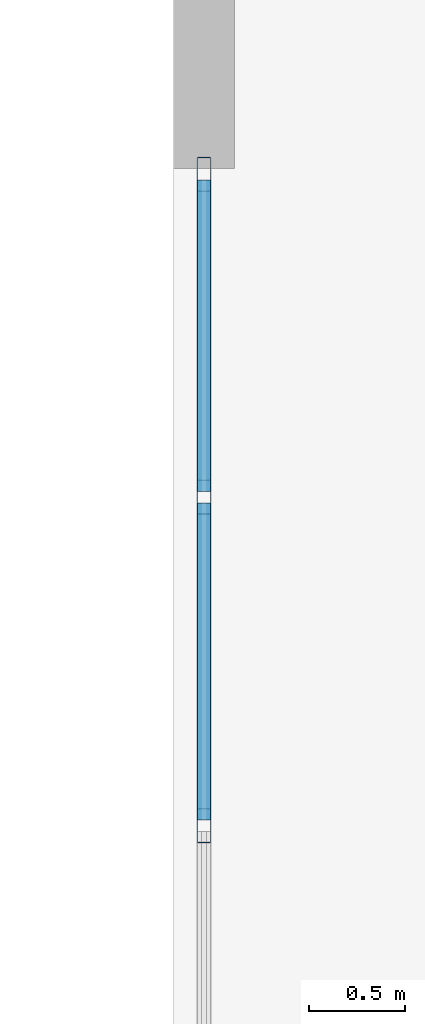
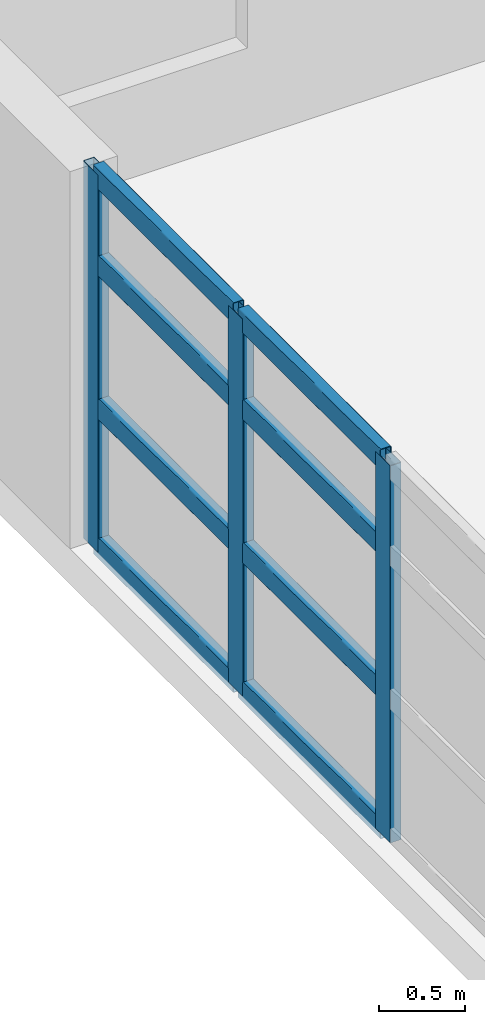
# One storey, part 6 of 24: 11 members, 1 element without a shape of its own.
"""IFC4 building model written with IfcOpenShell, lengths in metres."""

from ifc_helpers import new_model, si_unit, direction, frame, origin, origin_2d, place, context, subcontext, project, spatial, hollow_rectangle, extrude, material, layer, layer_set, material_profile, profile_set, type_object, element, aggregate, save


model = new_model("IFC4")

# Units and contexts
model_context = context("Model", 3, precision=1e-05, world=origin(), true_north=direction((0.0, 1.0)))
body_context = subcontext(model_context, "Body", "Model", "MODEL_VIEW")
ifc_project = project(units=[si_unit("LENGTHUNIT", "METRE"), si_unit("AREAUNIT", "SQUARE_METRE"), si_unit("VOLUMEUNIT", "CUBIC_METRE"), si_unit("PLANEANGLEUNIT", "RADIAN"), si_unit("MASSUNIT", "GRAM", prefix="KILO")], contexts=[model_context])

# Site, building, storey
site_placement = place(None, origin())
site = spatial("IfcSite", under=ifc_project, at=site_placement, CompositionType="ELEMENT")
building_placement = place(site_placement, origin())
building = spatial("IfcBuilding", under=site, at=building_placement, Name="Qingluan Cross Belvedere", CompositionType="ELEMENT")
storey_placement = place(building_placement, origin())
storey = spatial("IfcBuildingStorey", under=building, at=storey_placement, Name="L01", CompositionType="ELEMENT", Elevation=0.0)

# Curtain wall, members
ifc_material_1 = material(Name="Thermally broken aluminium and Low-E glass", Category="aluminium")
ifc_layer = layer(ifc_material_1, 0.199951171875, Name="UnitisedCW_PodiumArrival")
ifc_layer_set = layer_set([ifc_layer], Name="Thermally broken aluminium and Low-E glass")
curtain_wall_type = type_object("IfcCurtainWallType", Name="UnitisedCW_PodiumArrival", PredefinedType="USERDEFINED", material=ifc_layer_set)
curtain_wall_placement = place(storey_placement, origin())
curtain_wall = element("IfcCurtainWall", 1, at=curtain_wall_placement, inside=storey, type_object=curtain_wall_type, Name="UnitisedCW_PodiumArrival run env:cw:L01:W", ObjectType="UNITISED CURTAIN WALL", PredefinedType="USERDEFINED")
ifc_material_2 = material(Name="Aluminium alloy 6063-T6", Category="aluminium")
ifc_material_profile_1 = material_profile(ifc_material_2, hollow_rectangle(XDim=0.074951171875, YDim=0.179931640625, WallThickness=0.00390625, InnerFilletRadius=0.00390625, OuterFilletRadius=0.008056640625, at=origin_2d()), Name="CWM180x75x4")
ifc_profile_set_1 = profile_set([ifc_material_profile_1], Name="Aluminium alloy 6063-T6")
member_type_1 = type_object("IfcMemberType", Name="CWMullion_180", PredefinedType="MULLION", material=ifc_profile_set_1)
member_1_placement = place(storey_placement, frame((-39.0400390625, 2.571533203125, 0.0), z_axis=(0.0, 0.0, 1.0), x_axis=(-1.0, 0.0, 0.0)))
member_1 = element("IfcMember", 2, at=member_1_placement, type_object=member_type_1, Name="CW-P1 mullion 6", PredefinedType="MULLION", context=body_context, shape_type="SweptSolid", body=[
    extrude(hollow_rectangle(XDim=0.074951171875, YDim=0.179931640625, WallThickness=0.00390625, InnerFilletRadius=0.00390625, OuterFilletRadius=0.008056640625, at=origin_2d()), origin(), (0.0, 0.0, 1.0), 2.679931640625),
])
member_2_placement = place(storey_placement, frame((-39.0400390625, 4.28564453125, 0.0), z_axis=(0.0, 0.0, 1.0), x_axis=(-1.0, 0.0, 0.0)))
member_2 = element("IfcMember", 3, at=member_2_placement, type_object=member_type_1, Name="CW-P1 mullion 7", PredefinedType="MULLION", context=body_context, shape_type="SweptSolid", body=[
    extrude(hollow_rectangle(XDim=0.074951171875, YDim=0.179931640625, WallThickness=0.00390625, InnerFilletRadius=0.00390625, OuterFilletRadius=0.008056640625, at=origin_2d()), origin(), (0.0, 0.0, 1.0), 2.679931640625),
])
member_3_placement = place(storey_placement, frame((-39.0400390625, 5.969970703125, 0.0), z_axis=(0.0, 0.0, 1.0), x_axis=(-1.0, 0.0, 0.0)))
member_3 = element("IfcMember", 4, at=member_3_placement, type_object=member_type_1, Name="CW-P1 mullion 8", PredefinedType="MULLION", context=body_context, shape_type="SweptSolid", body=[
    extrude(hollow_rectangle(XDim=0.074951171875, YDim=0.179931640625, WallThickness=0.00390625, InnerFilletRadius=0.00390625, OuterFilletRadius=0.008056640625, at=origin_2d()), origin(), (0.0, 0.0, 1.0), 2.679931640625),
])
ifc_material_3 = material(Name="Aluminium alloy 6063-T6", Category="aluminium")
ifc_material_profile_2 = material_profile(ifc_material_3, hollow_rectangle(XDim=0.074951171875, YDim=0.14990234375, WallThickness=0.00390625, InnerFilletRadius=0.00390625, OuterFilletRadius=0.008056640625, at=origin_2d()), Name="CWT150x75x4")
ifc_profile_set_2 = profile_set([ifc_material_profile_2], Name="Aluminium alloy 6063-T6")
member_type_2 = type_object("IfcMemberType", Name="CWTransom_150", PredefinedType="USERDEFINED", material=ifc_profile_set_2)
member_4_placement = place(storey_placement, frame((-39.0400390625, 2.601318359375, 0.030029296875), z_axis=(0.0, 1.0, 0.0), x_axis=(-1.0, 0.0, 0.0)))
member_4 = element("IfcMember", 5, at=member_4_placement, type_object=member_type_2, Name="CW-P1 transom 6.1", ObjectType="TRANSOM", PredefinedType="USERDEFINED", context=body_context, shape_type="SweptSolid", body=[
    extrude(hollow_rectangle(XDim=0.074951171875, YDim=0.14990234375, WallThickness=0.00390625, InnerFilletRadius=0.00390625, OuterFilletRadius=0.008056640625, at=origin_2d()), origin(), (0.0, 0.0, 1.0), 1.654296875),
])
member_5_placement = place(storey_placement, frame((-39.0400390625, 2.601318359375, 1.01806640625), z_axis=(0.0, 1.0, 0.0), x_axis=(-1.0, 0.0, 0.0)))
member_5 = element("IfcMember", 6, at=member_5_placement, type_object=member_type_2, Name="CW-P1 transom 6.2", ObjectType="TRANSOM", PredefinedType="USERDEFINED", context=body_context, shape_type="SweptSolid", body=[
    extrude(hollow_rectangle(XDim=0.074951171875, YDim=0.14990234375, WallThickness=0.00390625, InnerFilletRadius=0.00390625, OuterFilletRadius=0.008056640625, at=origin_2d()), origin(), (0.0, 0.0, 1.0), 1.654296875),
])
member_6_placement = place(storey_placement, frame((-39.0400390625, 2.601318359375, 2.037109375), z_axis=(0.0, 1.0, 0.0), x_axis=(-1.0, 0.0, 0.0)))
member_6 = element("IfcMember", 7, at=member_6_placement, type_object=member_type_2, Name="CW-P1 transom 6.3", ObjectType="TRANSOM", PredefinedType="USERDEFINED", context=body_context, shape_type="SweptSolid", body=[
    extrude(hollow_rectangle(XDim=0.074951171875, YDim=0.14990234375, WallThickness=0.00390625, InnerFilletRadius=0.00390625, OuterFilletRadius=0.008056640625, at=origin_2d()), origin(), (0.0, 0.0, 1.0), 1.654296875),
])
member_7_placement = place(storey_placement, frame((-39.0400390625, 2.601318359375, 2.64990234375), z_axis=(0.0, 1.0, 0.0), x_axis=(-1.0, 0.0, 0.0)))
member_7 = element("IfcMember", 8, at=member_7_placement, type_object=member_type_2, Name="CW-P1 transom 6.4", ObjectType="TRANSOM", PredefinedType="USERDEFINED", context=body_context, shape_type="SweptSolid", body=[
    extrude(hollow_rectangle(XDim=0.074951171875, YDim=0.14990234375, WallThickness=0.00390625, InnerFilletRadius=0.00390625, OuterFilletRadius=0.008056640625, at=origin_2d()), origin(), (0.0, 0.0, 1.0), 1.654296875),
])
member_8_placement = place(storey_placement, frame((-39.0400390625, 4.315673828125, 0.030029296875), z_axis=(0.0, 1.0, 0.0), x_axis=(-1.0, 0.0, 0.0)))
member_8 = element("IfcMember", 9, at=member_8_placement, type_object=member_type_2, Name="CW-P1 transom 7.1", ObjectType="TRANSOM", PredefinedType="USERDEFINED", context=body_context, shape_type="SweptSolid", body=[
    extrude(hollow_rectangle(XDim=0.074951171875, YDim=0.14990234375, WallThickness=0.00390625, InnerFilletRadius=0.00390625, OuterFilletRadius=0.008056640625, at=origin_2d()), origin(), (0.0, 0.0, 1.0), 1.624267578125),
])
member_9_placement = place(storey_placement, frame((-39.0400390625, 4.315673828125, 1.01806640625), z_axis=(0.0, 1.0, 0.0), x_axis=(-1.0, 0.0, 0.0)))
member_9 = element("IfcMember", 10, at=member_9_placement, type_object=member_type_2, Name="CW-P1 transom 7.2", ObjectType="TRANSOM", PredefinedType="USERDEFINED", context=body_context, shape_type="SweptSolid", body=[
    extrude(hollow_rectangle(XDim=0.074951171875, YDim=0.14990234375, WallThickness=0.00390625, InnerFilletRadius=0.00390625, OuterFilletRadius=0.008056640625, at=origin_2d()), origin(), (0.0, 0.0, 1.0), 1.624267578125),
])
member_10_placement = place(storey_placement, frame((-39.0400390625, 4.315673828125, 2.037109375), z_axis=(0.0, 1.0, 0.0), x_axis=(-1.0, 0.0, 0.0)))
member_10 = element("IfcMember", 11, at=member_10_placement, type_object=member_type_2, Name="CW-P1 transom 7.3", ObjectType="TRANSOM", PredefinedType="USERDEFINED", context=body_context, shape_type="SweptSolid", body=[
    extrude(hollow_rectangle(XDim=0.074951171875, YDim=0.14990234375, WallThickness=0.00390625, InnerFilletRadius=0.00390625, OuterFilletRadius=0.008056640625, at=origin_2d()), origin(), (0.0, 0.0, 1.0), 1.624267578125),
])
member_11_placement = place(storey_placement, frame((-39.0400390625, 4.315673828125, 2.64990234375), z_axis=(0.0, 1.0, 0.0), x_axis=(-1.0, 0.0, 0.0)))
member_11 = element("IfcMember", 12, at=member_11_placement, type_object=member_type_2, Name="CW-P1 transom 7.4", ObjectType="TRANSOM", PredefinedType="USERDEFINED", context=body_context, shape_type="SweptSolid", body=[
    extrude(hollow_rectangle(XDim=0.074951171875, YDim=0.14990234375, WallThickness=0.00390625, InnerFilletRadius=0.00390625, OuterFilletRadius=0.008056640625, at=origin_2d()), origin(), (0.0, 0.0, 1.0), 1.624267578125),
])
aggregate(curtain_wall, [member_1, member_2, member_3, member_4, member_5, member_6, member_7, member_8, member_9, member_10, member_11])

save(model, "model.ifc")
